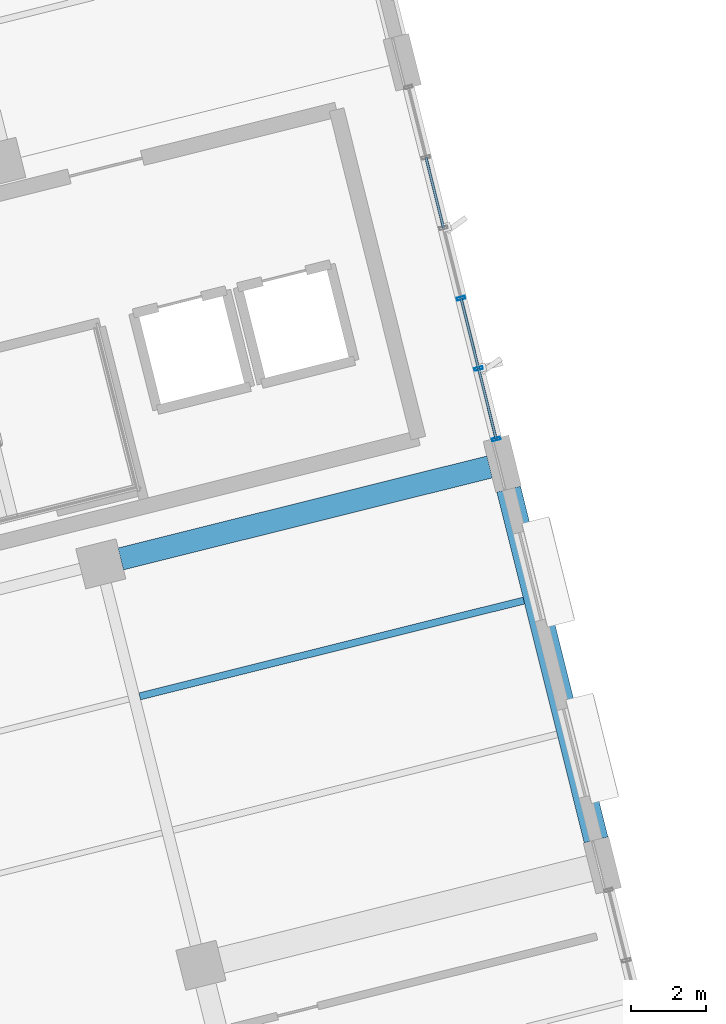
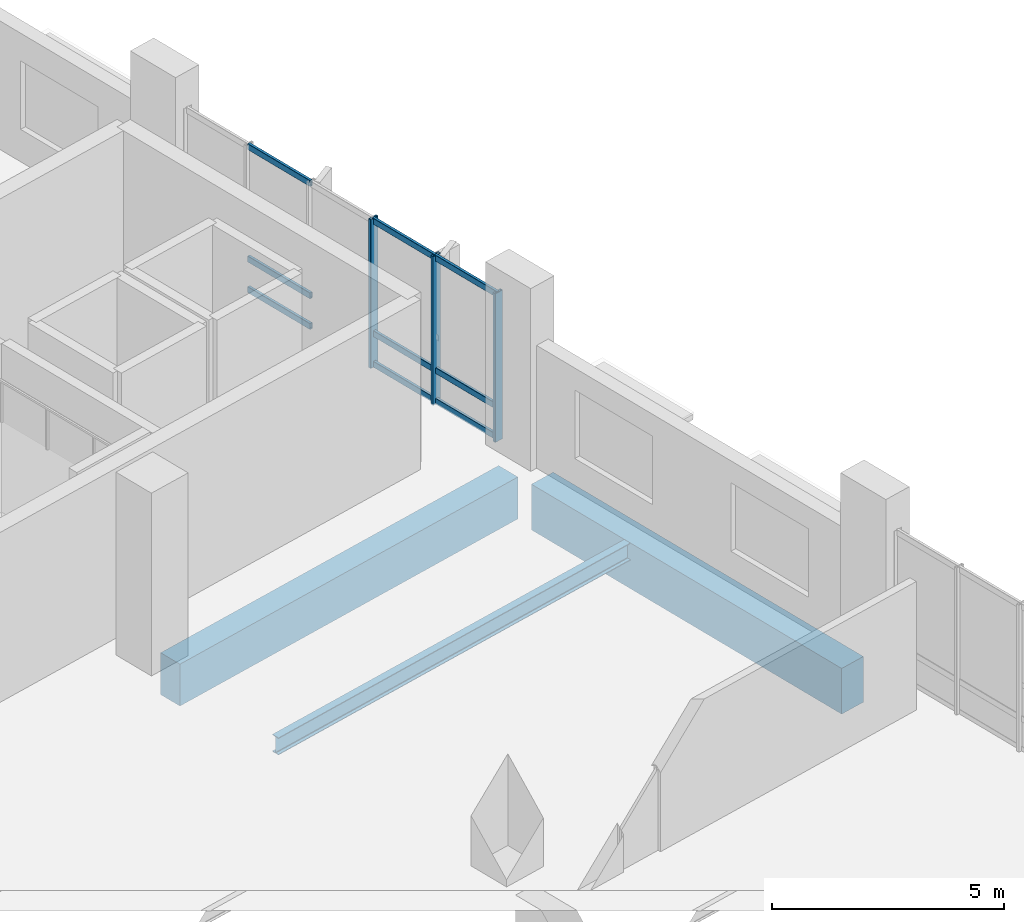
# One storey, part 80 of 137: 12 members, 3 beams, 1 element without a shape of its own.
"""IFC4 building model written with IfcOpenShell, lengths in metres."""

from ifc_helpers import new_model, si_unit, direction, frame, origin, origin_2d, place, context, subcontext, project, spatial, rectangle, hollow_rectangle, i_section, extrude, material, layer, layer_set, material_profile, profile_set, type_object, element, aggregate, save


model = new_model("IFC4")

# Units and contexts
model_context = context("Model", 3, precision=1e-05, world=origin(), true_north=direction((0.0, 1.0)))
body_context = subcontext(model_context, "Body", "Model", "MODEL_VIEW")
ifc_project = project(units=[si_unit("LENGTHUNIT", "METRE"), si_unit("AREAUNIT", "SQUARE_METRE"), si_unit("VOLUMEUNIT", "CUBIC_METRE"), si_unit("PLANEANGLEUNIT", "RADIAN"), si_unit("MASSUNIT", "GRAM", prefix="KILO")], contexts=[model_context])

# Site, building, storey
site_placement = place(None, origin())
site = spatial("IfcSite", under=ifc_project, at=site_placement, CompositionType="ELEMENT")
building_placement = place(site_placement, origin())
building = spatial("IfcBuilding", under=site, at=building_placement, Name="Khorjan Park Terminus", CompositionType="ELEMENT")
storey_placement = place(building_placement, frame((0.0, 0.0, 11.4)))
storey = spatial("IfcBuildingStorey", under=building, at=storey_placement, Name="L02", CompositionType="ELEMENT", Elevation=11.4)

# Beams
ifc_material_1 = material(Name="Concrete C40/50", Category="concrete")
ifc_material_profile_1 = material_profile(ifc_material_1, rectangle(XDim=0.6, YDim=1.1, at=origin_2d()), Name="RC 600x1100")
ifc_profile_set_1 = profile_set([ifc_material_profile_1], Name="Concrete C40/50")
beam_type_1 = type_object("IfcBeamType", Name="BM-RC600x1100", PredefinedType="BEAM", material=ifc_profile_set_1)
beam_1_placement = place(storey_placement, frame((214.5728, 36.7841, -0.9), z_axis=(0.970296490369, 0.241918830968, 0.0), x_axis=(-0.241918830968, 0.970296490369, 0.0)))
element("IfcBeam", 1, at=beam_1_placement, inside=storey, type_object=beam_type_1, Name="Primary skew-grid floor girder GB-11 (L02)", PredefinedType="BEAM", context=body_context, shape_type="SweptSolid", body=[
    extrude(rectangle(XDim=0.6, YDim=1.1, at=origin_2d()), origin(), (0.0, 0.0, 1.0), 10.11),
])
ifc_material_profile_2 = material_profile(ifc_material_1, rectangle(XDim=0.65, YDim=1.2, at=origin_2d()), Name="RC 650x1200")
ifc_profile_set_2 = profile_set([ifc_material_profile_2], Name="Concrete C40/50")
beam_type_2 = type_object("IfcBeamType", Name="BM-RC650x1200", PredefinedType="BEAM", material=ifc_profile_set_2)
beam_2_placement = place(storey_placement, frame((227.2102, 29.3145, -0.95), z_axis=(-0.241916119113, 0.970297166498, 0.0), x_axis=(-0.970297166498, -0.241916119113, 0.0)))
element("IfcBeam", 2, at=beam_2_placement, inside=storey, type_object=beam_type_2, Name="Primary skew-grid floor girder GB-12 (L02)", PredefinedType="BEAM", context=body_context, shape_type="SweptSolid", body=[
    extrude(rectangle(XDim=0.65, YDim=1.2, at=origin_2d()), origin(), (0.0, 0.0, 1.0), 9.6099),
])
ifc_material_2 = material(Name="Steel S355", Category="steel")
ifc_material_profile_3 = material_profile(ifc_material_2, i_section(OverallWidth=0.19, OverallDepth=0.45, WebThickness=0.0094, FlangeThickness=0.0146, FilletRadius=0.021, at=origin_2d()), Name="IPE 450")
ifc_profile_set_3 = profile_set([ifc_material_profile_3], Name="Steel S355")
beam_type_3 = type_object("IfcBeamType", Name="JS-IPE450", PredefinedType="JOIST", material=ifc_profile_set_3)
beam_3_placement = place(storey_placement, frame((215.0766, 33.1307, -0.575), z_axis=(0.970296002015, 0.241920789668, 0.0), x_axis=(-0.241920789668, 0.970296002015, 0.0)))
element("IfcBeam", 3, at=beam_3_placement, inside=storey, type_object=beam_type_3, Name="Secondary composite floor joist SJ-45 (L02)", PredefinedType="JOIST", context=body_context, shape_type="SweptSolid", body=[
    extrude(i_section(OverallWidth=0.19, OverallDepth=0.45, WebThickness=0.0094, FlangeThickness=0.0146, FilletRadius=0.021, at=origin_2d()), origin(), (0.0, 0.0, 1.0), 10.5249),
])

# Curtain wall, members
ifc_material_3 = material(Name="Anodized Bronze Aluminium", Category="aluminium")
ifc_layer = layer(ifc_material_3, 0.22)
ifc_layer_set = layer_set([ifc_layer], Name="Anodized Bronze Aluminium")
curtain_wall_type = type_object("IfcCurtainWallType", Name="CW-OPS-B", PredefinedType="NOTDEFINED", material=ifc_layer_set)
curtain_wall_placement = place(storey_placement, origin())
curtain_wall = element("IfcCurtainWall", 4, at=curtain_wall_placement, inside=storey, type_object=curtain_wall_type, Name="Unitized curtain wall CW-B (CW-V5-E-L02-B03)", PredefinedType="NOTDEFINED")
ifc_material_profile_4 = material_profile(ifc_material_3, hollow_rectangle(XDim=0.075, YDim=0.225, WallThickness=0.005, InnerFilletRadius=0.005, OuterFilletRadius=0.01, at=origin_2d()), Name="ALM 75x225x5")
ifc_profile_set_4 = profile_set([ifc_material_profile_4], Name="Anodized Bronze Aluminium")
member_type_1 = type_object("IfcMemberType", Name="ML-ALM-225", PredefinedType="MULLION", material=ifc_profile_set_4)
member_1_placement = place(storey_placement, frame((224.5528, 39.9729, -0.035), z_axis=(0.0, 0.0, 1.0), x_axis=(-0.241922975976, 0.970295456907, 0.0)))
member_1 = element("IfcMember", 5, at=member_1_placement, type_object=member_type_1, Name="Curtain-wall mullion ML-22 (CW-V5-E-L02-B03-0)", PredefinedType="MULLION", context=body_context, shape_type="SweptSolid", body=[
    extrude(hollow_rectangle(XDim=0.075, YDim=0.225, WallThickness=0.005, InnerFilletRadius=0.005, OuterFilletRadius=0.01, at=origin_2d()), origin(), (0.0, 0.0, 1.0), 3.905),
])
member_2_placement = place(storey_placement, frame((224.0863, 41.8438, -0.035), z_axis=(0.0, 0.0, 1.0), x_axis=(-0.241922975976, 0.970295456907, 0.0)))
member_2 = element("IfcMember", 6, at=member_2_placement, type_object=member_type_1, Name="Curtain-wall mullion ML-22 (CW-V5-E-L02-B03-1)", PredefinedType="MULLION", context=body_context, shape_type="SweptSolid", body=[
    extrude(hollow_rectangle(XDim=0.075, YDim=0.225, WallThickness=0.005, InnerFilletRadius=0.005, OuterFilletRadius=0.01, at=origin_2d()), origin(), (0.0, 0.0, 1.0), 3.905),
])
member_3_placement = place(storey_placement, frame((223.6199, 43.7146, -0.035), z_axis=(0.0, 0.0, 1.0), x_axis=(-0.241922975976, 0.970295456907, 0.0)))
member_3 = element("IfcMember", 7, at=member_3_placement, type_object=member_type_1, Name="Curtain-wall mullion ML-22 (CW-V5-E-L02-B03-2)", PredefinedType="MULLION", context=body_context, shape_type="SweptSolid", body=[
    extrude(hollow_rectangle(XDim=0.075, YDim=0.225, WallThickness=0.005, InnerFilletRadius=0.005, OuterFilletRadius=0.01, at=origin_2d()), origin(), (0.0, 0.0, 1.0), 3.905),
])
ifc_material_profile_5 = material_profile(ifc_material_3, hollow_rectangle(XDim=0.07, YDim=0.16, WallThickness=0.004, InnerFilletRadius=0.004, OuterFilletRadius=0.008, at=origin_2d()), Name="ALT 70x160x4")
ifc_profile_set_5 = profile_set([ifc_material_profile_5], Name="Anodized Bronze Aluminium")
member_type_2 = type_object("IfcMemberType", Name="TR-ALT-160", PredefinedType="USERDEFINED", material=ifc_profile_set_5)
member_4_placement = place(storey_placement, frame((224.5528, 39.9729, 0.04), z_axis=(-0.241937637138, 0.970291801334, 0.0), x_axis=(-0.970291801334, -0.241937637138, 0.0)))
member_4 = element("IfcMember", 8, at=member_4_placement, type_object=member_type_2, Name="Curtain-wall transom TR-16 (CW-V5-E-L02-B03-0-1)", ObjectType="TRANSOM", PredefinedType="USERDEFINED", context=body_context, shape_type="SweptSolid", body=[
    extrude(hollow_rectangle(XDim=0.07, YDim=0.16, WallThickness=0.004, InnerFilletRadius=0.004, OuterFilletRadius=0.008, at=origin_2d()), origin(), (0.0, 0.0, 1.0), 1.9282),
])
member_5_placement = place(storey_placement, frame((224.5528, 39.9729, 0.844), z_axis=(-0.241937637138, 0.970291801334, 0.0), x_axis=(-0.970291801334, -0.241937637138, 0.0)))
member_5 = element("IfcMember", 9, at=member_5_placement, type_object=member_type_2, Name="Curtain-wall transom TR-16 (CW-V5-E-L02-B03-0-2)", ObjectType="TRANSOM", PredefinedType="USERDEFINED", context=body_context, shape_type="SweptSolid", body=[
    extrude(hollow_rectangle(XDim=0.07, YDim=0.16, WallThickness=0.004, InnerFilletRadius=0.004, OuterFilletRadius=0.008, at=origin_2d()), origin(), (0.0, 0.0, 1.0), 1.9282),
])
member_6_placement = place(storey_placement, frame((224.5528, 39.9729, 3.795), z_axis=(-0.241937637138, 0.970291801334, 0.0), x_axis=(-0.970291801334, -0.241937637138, 0.0)))
member_6 = element("IfcMember", 10, at=member_6_placement, type_object=member_type_2, Name="Curtain-wall transom TR-16 (CW-V5-E-L02-B03-0-3)", ObjectType="TRANSOM", PredefinedType="USERDEFINED", context=body_context, shape_type="SweptSolid", body=[
    extrude(hollow_rectangle(XDim=0.07, YDim=0.16, WallThickness=0.004, InnerFilletRadius=0.004, OuterFilletRadius=0.008, at=origin_2d()), origin(), (0.0, 0.0, 1.0), 1.9282),
])
member_7_placement = place(storey_placement, frame((224.0863, 41.8438, 0.04), z_axis=(-0.241900982739, 0.970300940198, 0.0), x_axis=(-0.970300940198, -0.241900982739, 0.0)))
member_7 = element("IfcMember", 11, at=member_7_placement, type_object=member_type_2, Name="Curtain-wall transom TR-16 (CW-V5-E-L02-B03-1-1)", ObjectType="TRANSOM", PredefinedType="USERDEFINED", context=body_context, shape_type="SweptSolid", body=[
    extrude(hollow_rectangle(XDim=0.07, YDim=0.16, WallThickness=0.004, InnerFilletRadius=0.004, OuterFilletRadius=0.008, at=origin_2d()), origin(), (0.0, 0.0, 1.0), 1.9281),
])
member_8_placement = place(storey_placement, frame((224.0863, 41.8438, 0.844), z_axis=(-0.241900982739, 0.970300940198, 0.0), x_axis=(-0.970300940198, -0.241900982739, 0.0)))
member_8 = element("IfcMember", 12, at=member_8_placement, type_object=member_type_2, Name="Curtain-wall transom TR-16 (CW-V5-E-L02-B03-1-2)", ObjectType="TRANSOM", PredefinedType="USERDEFINED", context=body_context, shape_type="SweptSolid", body=[
    extrude(hollow_rectangle(XDim=0.07, YDim=0.16, WallThickness=0.004, InnerFilletRadius=0.004, OuterFilletRadius=0.008, at=origin_2d()), origin(), (0.0, 0.0, 1.0), 1.9281),
])
member_9_placement = place(storey_placement, frame((224.0863, 41.8438, 3.795), z_axis=(-0.241900982739, 0.970300940198, 0.0), x_axis=(-0.970300940198, -0.241900982739, 0.0)))
member_9 = element("IfcMember", 13, at=member_9_placement, type_object=member_type_2, Name="Curtain-wall transom TR-16 (CW-V5-E-L02-B03-1-3)", ObjectType="TRANSOM", PredefinedType="USERDEFINED", context=body_context, shape_type="SweptSolid", body=[
    extrude(hollow_rectangle(XDim=0.07, YDim=0.16, WallThickness=0.004, InnerFilletRadius=0.004, OuterFilletRadius=0.008, at=origin_2d()), origin(), (0.0, 0.0, 1.0), 1.9281),
])
member_10_placement = place(storey_placement, frame((223.1534, 45.5855, 0.04), z_axis=(-0.241900982739, 0.970300940198, 0.0), x_axis=(-0.970300940198, -0.241900982739, 0.0)))
member_10 = element("IfcMember", 14, at=member_10_placement, type_object=member_type_2, Name="Curtain-wall transom TR-16 (CW-V5-E-L02-B03-3-1)", ObjectType="TRANSOM", PredefinedType="USERDEFINED", context=body_context, shape_type="SweptSolid", body=[
    extrude(hollow_rectangle(XDim=0.07, YDim=0.16, WallThickness=0.004, InnerFilletRadius=0.004, OuterFilletRadius=0.008, at=origin_2d()), origin(), (0.0, 0.0, 1.0), 1.9281),
])
member_11_placement = place(storey_placement, frame((223.1534, 45.5855, 0.844), z_axis=(-0.241900982739, 0.970300940198, 0.0), x_axis=(-0.970300940198, -0.241900982739, 0.0)))
member_11 = element("IfcMember", 15, at=member_11_placement, type_object=member_type_2, Name="Curtain-wall transom TR-16 (CW-V5-E-L02-B03-3-2)", ObjectType="TRANSOM", PredefinedType="USERDEFINED", context=body_context, shape_type="SweptSolid", body=[
    extrude(hollow_rectangle(XDim=0.07, YDim=0.16, WallThickness=0.004, InnerFilletRadius=0.004, OuterFilletRadius=0.008, at=origin_2d()), origin(), (0.0, 0.0, 1.0), 1.9281),
])
member_12_placement = place(storey_placement, frame((223.1534, 45.5855, 3.795), z_axis=(-0.241900982739, 0.970300940198, 0.0), x_axis=(-0.970300940198, -0.241900982739, 0.0)))
member_12 = element("IfcMember", 16, at=member_12_placement, type_object=member_type_2, Name="Curtain-wall transom TR-16 (CW-V5-E-L02-B03-3-3)", ObjectType="TRANSOM", PredefinedType="USERDEFINED", context=body_context, shape_type="SweptSolid", body=[
    extrude(hollow_rectangle(XDim=0.07, YDim=0.16, WallThickness=0.004, InnerFilletRadius=0.004, OuterFilletRadius=0.008, at=origin_2d()), origin(), (0.0, 0.0, 1.0), 1.9281),
])
aggregate(curtain_wall, [member_1, member_2, member_3, member_4, member_5, member_6, member_7, member_8, member_9, member_10, member_11, member_12])

save(model, "model.ifc")
